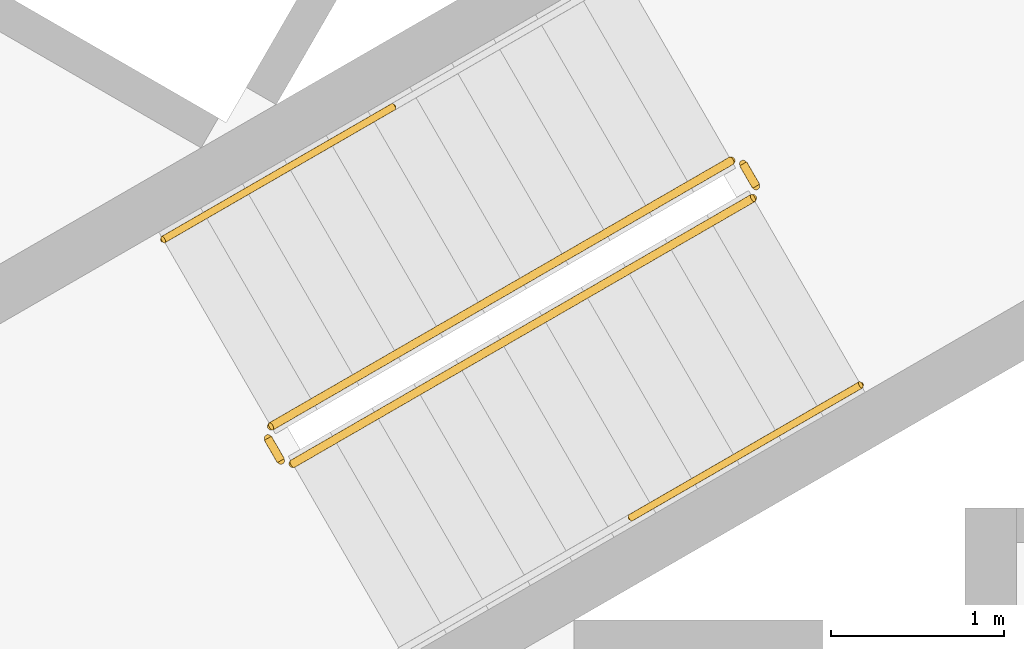
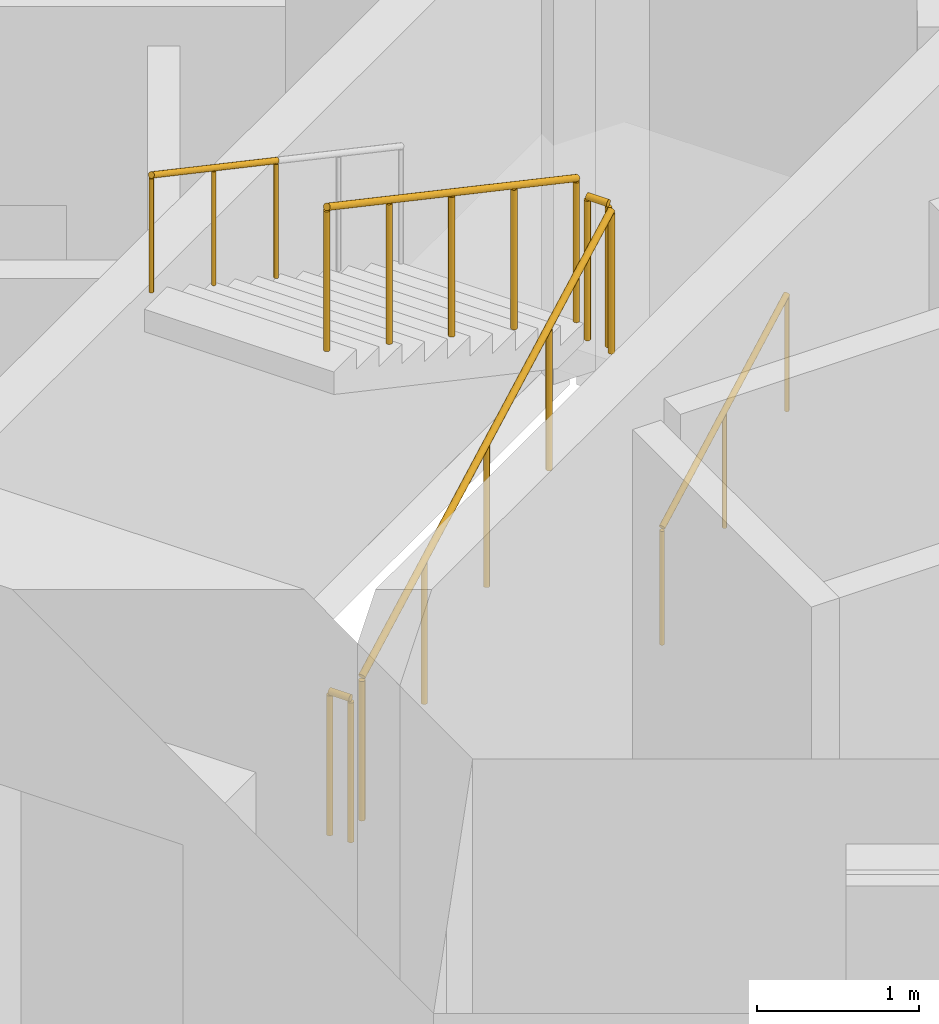
# One storey, part 12 of 17: 6 railings.
"""IFC4 building model written with IfcOpenShell, lengths in metres."""

from ifc_helpers import new_model, si_unit, direction, frame, origin, origin_2d, place, context, subcontext, project, spatial, circle, extrude, material, type_object, element, save


model = new_model("IFC4")

# Units and contexts
model_context = context("Model", 3, precision=1e-05, world=origin(), true_north=direction((0.0, 1.0)))
body_context = subcontext(model_context, "Body", "Model", "MODEL_VIEW")
ifc_project = project(units=[si_unit("LENGTHUNIT", "METRE"), si_unit("AREAUNIT", "SQUARE_METRE"), si_unit("VOLUMEUNIT", "CUBIC_METRE"), si_unit("PLANEANGLEUNIT", "RADIAN"), si_unit("MASSUNIT", "GRAM", prefix="KILO")], contexts=[model_context])

# Site, building, storey
site_placement = place(None, origin())
site = spatial("IfcSite", under=ifc_project, at=site_placement, CompositionType="ELEMENT")
building_placement = place(site_placement, origin())
building = spatial("IfcBuilding", under=site, at=building_placement, Name="Trine Commons Tower", CompositionType="ELEMENT")
storey_placement = place(building_placement, frame((0.0, 0.0, 186.300048828125)))
storey = spatial("IfcBuildingStorey", under=building, at=storey_placement, Name="L48", CompositionType="ELEMENT", Elevation=186.300048828125)

# Railings
ifc_material_1 = material(Name="Stainless steel balustrade", Category="steel")
railing_type_1 = type_object("IfcRailingType", Name="Stair guard, steel balustrade 1100", PredefinedType="GUARDRAIL", material=ifc_material_1)
railing_1_placement = place(storey_placement, frame((74.80517578125, 59.3564453125, 0.14990234375)))
element("IfcRailing", 1, at=railing_1_placement, inside=storey, type_object=railing_type_1, Name="L48 ST2B stair guard 1", PredefinedType="GUARDRAIL", context=body_context, shape_type="SweptSolid", body=[
    extrude(circle(Radius=0.02392578125, at=origin_2d()), frame((0.0, 0.0, 1.076171875), z_axis=(0.763379768245, 0.440728498818, 0.472239049384), x_axis=(-0.499992328818, 0.866029832698, 0.0)), (0.0, 0.0, 1.0), 3.494384765625),
    extrude(circle(Radius=0.02099609375, at=origin_2d()), origin(), (0.0, 0.0, 1.0), 1.052001953125),
    extrude(circle(Radius=0.02099609375, at=origin_2d()), frame((0.6669921875, 0.385009765625, 0.41259765625)), (0.0, 0.0, 1.0), 1.052001953125),
    extrude(circle(Radius=0.02099609375, at=origin_2d()), frame((1.333740234375, 0.77001953125, 0.8251953125)), (0.0, 0.0, 1.0), 1.052001953125),
    extrude(circle(Radius=0.02099609375, at=origin_2d()), frame((2.00048828125, 1.155029296875, 1.237548828125)), (0.0, 0.0, 1.0), 1.052001953125),
    extrude(circle(Radius=0.02099609375, at=origin_2d()), frame((2.66748046875, 1.5400390625, 1.650146484375)), (0.0, 0.0, 1.0), 1.052001953125),
])
railing_2_placement = place(storey_placement, frame((77.490966796875, 60.96484375, 1.800048828125)))
element("IfcRailing", 2, at=railing_2_placement, inside=storey, type_object=railing_type_1, Name="L48 ST2B stair guard 2", PredefinedType="GUARDRAIL", context=body_context, shape_type="SweptSolid", body=[
    extrude(circle(Radius=0.02392578125, at=origin_2d()), frame((0.0, 0.0, 1.076171875), z_axis=(-0.501036270542, 0.865426285481, 0.0), x_axis=(-0.865426285481, -0.501036270542, 0.0)), (0.0, 0.0, 1.0), 0.150146484375),
    extrude(circle(Radius=0.02099609375, at=origin_2d()), origin(), (0.0, 0.0, 1.0), 1.052001953125),
    extrude(circle(Radius=0.02099609375, at=origin_2d()), frame((-0.0751953125, 0.1298828125, 0.0)), (0.0, 0.0, 1.0), 1.052001953125),
])
railing_3_placement = place(storey_placement, frame((77.34765625, 61.113037109375, 1.949951171875)))
element("IfcRailing", 3, at=railing_3_placement, inside=storey, type_object=railing_type_1, Name="L48 ST2B stair guard 3", PredefinedType="GUARDRAIL", context=body_context, shape_type="SweptSolid", body=[
    extrude(circle(Radius=0.02392578125, at=origin_2d()), frame((0.0, 0.0, 1.076171875), z_axis=(-0.76340495495, -0.440743040072, 0.472184759798), x_axis=(0.499992328818, -0.866029832698, 0.0)), (0.0, 0.0, 1.0), 3.494140625),
    extrude(circle(Radius=0.02099609375, at=origin_2d()), origin(), (0.0, 0.0, 1.0), 1.052001953125),
    extrude(circle(Radius=0.02099609375, at=origin_2d()), frame((-0.6669921875, -0.385009765625, 0.41259765625)), (0.0, 0.0, 1.0), 1.052001953125),
    extrude(circle(Radius=0.02099609375, at=origin_2d()), frame((-1.333740234375, -0.77001953125, 0.824951171875)), (0.0, 0.0, 1.0), 1.052001953125),
    extrude(circle(Radius=0.02099609375, at=origin_2d()), frame((-2.00048828125, -1.155029296875, 1.2373046875)), (0.0, 0.0, 1.0), 1.052001953125),
    extrude(circle(Radius=0.02099609375, at=origin_2d()), frame((-2.66748046875, -1.5400390625, 1.64990234375)), (0.0, 0.0, 1.0), 1.052001953125),
])
railing_4_placement = place(storey_placement, frame((74.73681640625, 59.374755859375, 0.0)))
element("IfcRailing", 4, at=railing_4_placement, inside=storey, type_object=railing_type_1, Name="L48 ST2B stair guard 4", PredefinedType="GUARDRAIL", context=body_context, shape_type="SweptSolid", body=[
    extrude(circle(Radius=0.02392578125, at=origin_2d()), frame((0.0, 0.0, 1.076171875), z_axis=(-0.499816412211, 0.866131372301, 0.0), x_axis=(-0.866131372301, -0.499816412211, 0.0)), (0.0, 0.0, 1.0), 0.14990234375),
    extrude(circle(Radius=0.02099609375, at=origin_2d()), origin(), (0.0, 0.0, 1.0), 1.052001953125),
    extrude(circle(Radius=0.02099609375, at=origin_2d()), frame((-0.074951171875, 0.1298828125, 0.0)), (0.0, 0.0, 1.0), 1.052001953125),
])
ifc_material_2 = material(Name="Stainless steel handrail", Category="steel")
railing_type_2 = type_object("IfcRailingType", Name="Stair handrail, steel 900", PredefinedType="HANDRAIL", material=ifc_material_2)
railing_5_placement = place(storey_placement, frame((76.763916015625, 59.0439453125, 0.974853515625)))
element("IfcRailing", 5, at=railing_5_placement, inside=storey, type_object=railing_type_2, Name="L48 ST2B stair handrail 2", PredefinedType="HANDRAIL", context=body_context, shape_type="SweptSolid", body=[
    extrude(circle(Radius=0.02099609375, at=origin_2d()), frame((0.0, 0.0, 0.87890625), z_axis=(0.763354580307, 0.440713956853, 0.472293333596), x_axis=(-0.499992328818, 0.866029832698, 0.0)), (0.0, 0.0, 1.0), 1.747314453125),
    extrude(circle(Radius=0.01513671875, at=origin_2d()), origin(), (0.0, 0.0, 1.0), 0.85791015625),
    extrude(circle(Radius=0.01513671875, at=origin_2d()), frame((0.6669921875, 0.385009765625, 0.41259765625)), (0.0, 0.0, 1.0), 0.85791015625),
    extrude(circle(Radius=0.01513671875, at=origin_2d()), frame((1.333740234375, 0.77001953125, 0.8251953125)), (0.0, 0.0, 1.0), 0.85791015625),
])
railing_6_placement = place(storey_placement, frame((75.388916015625, 61.425537109375, 2.77490234375)))
element("IfcRailing", 6, at=railing_6_placement, inside=storey, type_object=railing_type_2, Name="L48 ST2B stair handrail 4", PredefinedType="HANDRAIL", context=body_context, shape_type="SweptSolid", body=[
    extrude(circle(Radius=0.02099609375, at=origin_2d()), frame((0.0, 0.0, 0.87890625), z_axis=(-0.76340495495, -0.440743040072, 0.472184759798), x_axis=(0.499992328818, -0.866029832698, 0.0)), (0.0, 0.0, 1.0), 1.7470703125),
    extrude(circle(Radius=0.01513671875, at=origin_2d()), origin(), (0.0, 0.0, 1.0), 0.85791015625),
    extrude(circle(Radius=0.01513671875, at=origin_2d()), frame((-0.6669921875, -0.385009765625, 0.41259765625)), (0.0, 0.0, 1.0), 0.85791015625),
    extrude(circle(Radius=0.01513671875, at=origin_2d()), frame((-1.333740234375, -0.77001953125, 0.824951171875)), (0.0, 0.0, 1.0), 0.85791015625),
])

save(model, "model.ifc")
